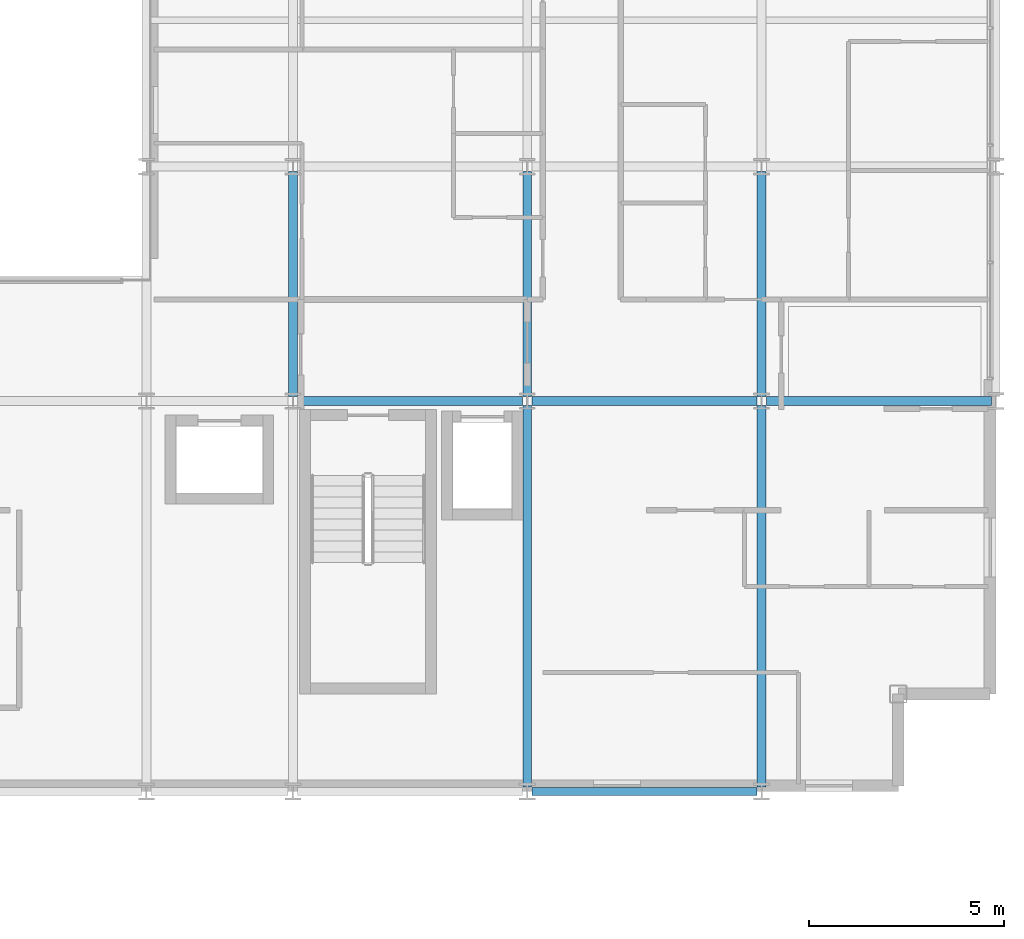
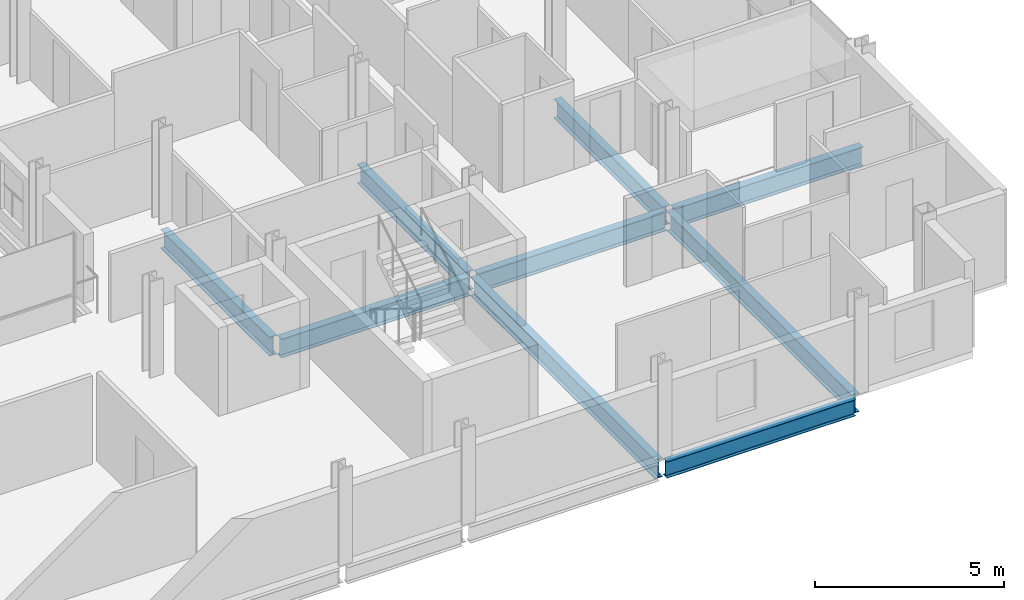
# One storey, part 14 of 40: 9 beams.
"""IFC4 building model written with IfcOpenShell, lengths in metres."""

from ifc_helpers import new_model, si_unit, direction, frame, origin, origin_2d, place, context, subcontext, project, spatial, i_section, extrude, material, material_profile, profile_set, type_object, element, save


model = new_model("IFC4")

# Units and contexts
model_context = context("Model", 3, precision=1e-05, world=origin(), true_north=direction((0.0, 1.0)))
body_context = subcontext(model_context, "Body", "Model", "MODEL_VIEW")
ifc_project = project(units=[si_unit("LENGTHUNIT", "METRE"), si_unit("AREAUNIT", "SQUARE_METRE"), si_unit("VOLUMEUNIT", "CUBIC_METRE"), si_unit("PLANEANGLEUNIT", "RADIAN"), si_unit("MASSUNIT", "GRAM", prefix="KILO")], contexts=[model_context])

# Site, building, storey
site_placement = place(None, origin())
site = spatial("IfcSite", under=ifc_project, at=site_placement, CompositionType="ELEMENT")
building_placement = place(site_placement, origin())
building = spatial("IfcBuilding", under=site, at=building_placement, Name="Brevholm Reach", CompositionType="ELEMENT")
storey_placement = place(building_placement, frame((0.0, 0.0, 131.39990234375)))
storey = spatial("IfcBuildingStorey", under=building, at=storey_placement, Name="L39", CompositionType="ELEMENT", Elevation=131.39990234375)

# Beams
ifc_material_1 = material(Name="Structural Steel S355J2", Category="steel")
ifc_material_profile_1 = material_profile(ifc_material_1, i_section(OverallWidth=0.209228515625, OverallDepth=0.533203125, WebThickness=0.010009765625, FlangeThickness=0.015625, FilletRadius=0.0126953125, at=origin_2d()), Name="UKB 533x210x92")
ifc_profile_set_1 = profile_set([ifc_material_profile_1], Name="Structural Steel S355J2")
beam_type_1 = type_object("IfcBeamType", Name="BM-SP533", PredefinedType="SPANDREL", material=ifc_profile_set_1)
beam_1_placement = place(storey_placement, frame((48.1201171875, 0.0, -0.486572265625), z_axis=(1.0, 0.0, 0.0), x_axis=(0.0, 1.0, 0.0)))
element("IfcBeam", 1, at=beam_1_placement, inside=storey, type_object=beam_type_1, Name="L39 SP-02 Framing Beam", PredefinedType="SPANDREL", context=body_context, shape_type="SweptSolid", body=[
    extrude(i_section(OverallWidth=0.209228515625, OverallDepth=0.533203125, WebThickness=0.010009765625, FlangeThickness=0.015625, FilletRadius=0.0126953125, at=origin_2d()), origin(), (0.0, 0.0, 1.0), 5.759765625),
])
ifc_material_2 = material(Name="Structural Steel S355J2", Category="steel")
ifc_material_profile_2 = material_profile(ifc_material_2, i_section(OverallWidth=0.22900390625, OverallDepth=0.6123046875, WebThickness=0.011962890625, FlangeThickness=0.01953125, FilletRadius=0.0126953125, at=origin_2d()), Name="UKB 610x229x125")
ifc_profile_set_2 = profile_set([ifc_material_profile_2], Name="Structural Steel S355J2")
beam_type_2 = type_object("IfcBeamType", Name="BM-SP610", PredefinedType="SPANDREL", material=ifc_profile_set_2)
for number, where, z_axis, x_axis, name in (
    (2, (42.1201171875, 10.0, -0.526123046875), (1.0, 0.0, 0.0), (0.0, 1.0, 0.0), "L39 SP-01 Framing Beam"),
    (3, (48.1201171875, 10.0, -0.526123046875), (1.0, 0.0, 0.0), (0.0, 1.0, 0.0), "L39 SP-01 Framing Beam"),
    (4, (54.1201171875, 10.0, -0.526123046875), (1.0, 0.0, 0.0), (0.0, 1.0, 0.0), "L39 SP-01 Framing Beam"),
    (5, (42.0, 10.1201171875, -0.526123046875), (0.0, 1.0, 0.0), (-1.0, 0.0, 0.0), "L39 SP-01 Framing Beam"),
):
    element("IfcBeam", number, at=place(storey_placement, frame(where, z_axis=z_axis, x_axis=x_axis)), inside=storey, type_object=beam_type_2, Name=name, PredefinedType="SPANDREL", context=body_context, shape_type="SweptSolid", body=[
        extrude(i_section(OverallWidth=0.22900390625, OverallDepth=0.6123046875, WebThickness=0.011962890625, FlangeThickness=0.01953125, FilletRadius=0.0126953125, at=origin_2d()), origin(), (0.0, 0.0, 1.0), 5.759765625),
    ])
beam_2_placement = place(storey_placement, frame((48.0, 0.1201171875, -0.526123046875), z_axis=(0.0, 1.0, 0.0), x_axis=(-1.0, 0.0, 0.0)))
element("IfcBeam", 6, at=beam_2_placement, inside=storey, type_object=beam_type_2, Name="L39 SP-01 Framing Beam", PredefinedType="SPANDREL", context=body_context, shape_type="SweptSolid", body=[
    extrude(i_section(OverallWidth=0.22900390625, OverallDepth=0.6123046875, WebThickness=0.011962890625, FlangeThickness=0.01953125, FilletRadius=0.0126953125, at=origin_2d()), origin(), (0.0, 0.0, 1.0), 9.759765625),
])
beam_3_placement = place(storey_placement, frame((48.0, 10.1201171875, -0.526123046875), z_axis=(0.0, 1.0, 0.0), x_axis=(-1.0, 0.0, 0.0)))
element("IfcBeam", 7, at=beam_3_placement, inside=storey, type_object=beam_type_2, Name="L39 SP-01 Framing Beam", PredefinedType="SPANDREL", context=body_context, shape_type="SweptSolid", body=[
    extrude(i_section(OverallWidth=0.22900390625, OverallDepth=0.6123046875, WebThickness=0.011962890625, FlangeThickness=0.01953125, FilletRadius=0.0126953125, at=origin_2d()), origin(), (0.0, 0.0, 1.0), 5.759765625),
])
beam_4_placement = place(storey_placement, frame((54.0, 0.1201171875, -0.526123046875), z_axis=(0.0, 1.0, 0.0), x_axis=(-1.0, 0.0, 0.0)))
element("IfcBeam", 8, at=beam_4_placement, inside=storey, type_object=beam_type_2, Name="L39 SP-01 Framing Beam", PredefinedType="SPANDREL", context=body_context, shape_type="SweptSolid", body=[
    extrude(i_section(OverallWidth=0.22900390625, OverallDepth=0.6123046875, WebThickness=0.011962890625, FlangeThickness=0.01953125, FilletRadius=0.0126953125, at=origin_2d()), origin(), (0.0, 0.0, 1.0), 9.759765625),
])
beam_5_placement = place(storey_placement, frame((54.0, 10.1201171875, -0.526123046875), z_axis=(0.0, 1.0, 0.0), x_axis=(-1.0, 0.0, 0.0)))
element("IfcBeam", 9, at=beam_5_placement, inside=storey, type_object=beam_type_2, Name="L39 SP-01 Framing Beam", PredefinedType="SPANDREL", context=body_context, shape_type="SweptSolid", body=[
    extrude(i_section(OverallWidth=0.22900390625, OverallDepth=0.6123046875, WebThickness=0.011962890625, FlangeThickness=0.01953125, FilletRadius=0.0126953125, at=origin_2d()), origin(), (0.0, 0.0, 1.0), 5.759765625),
])

save(model, "model.ifc")
